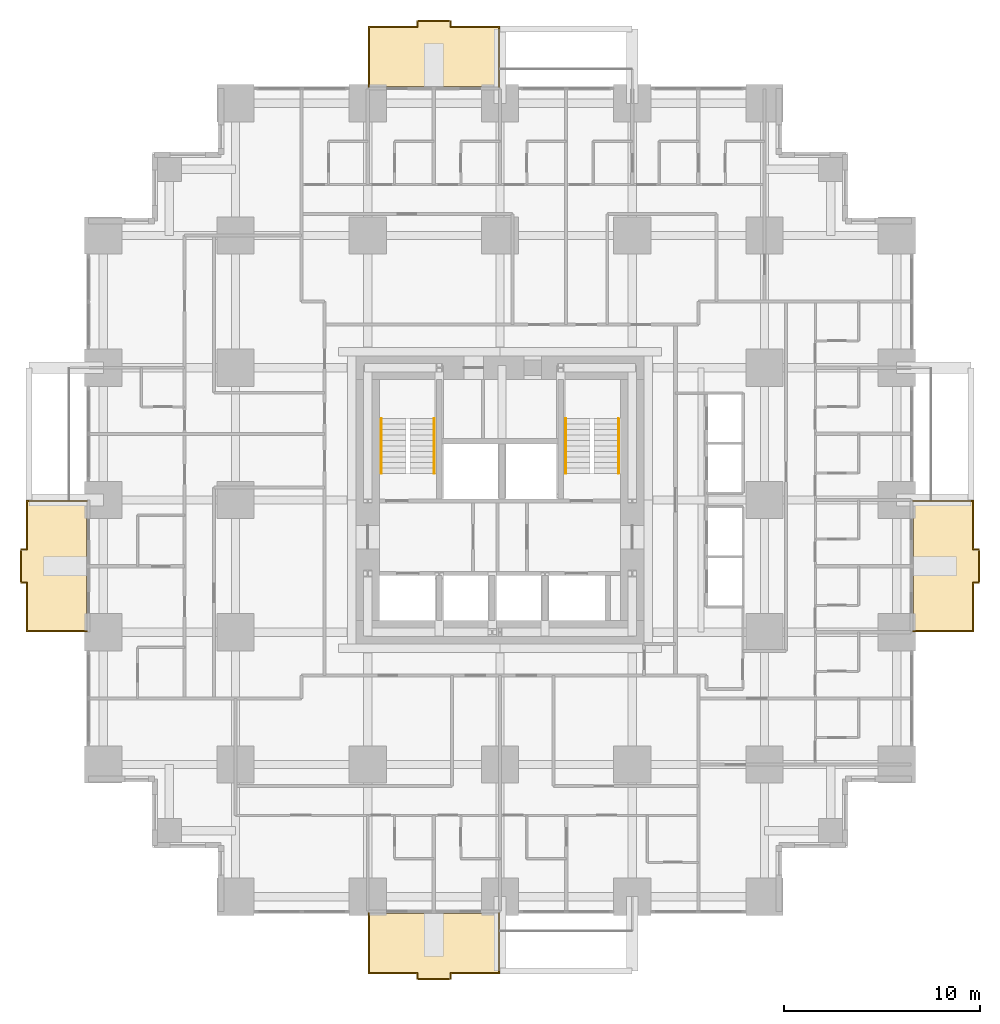
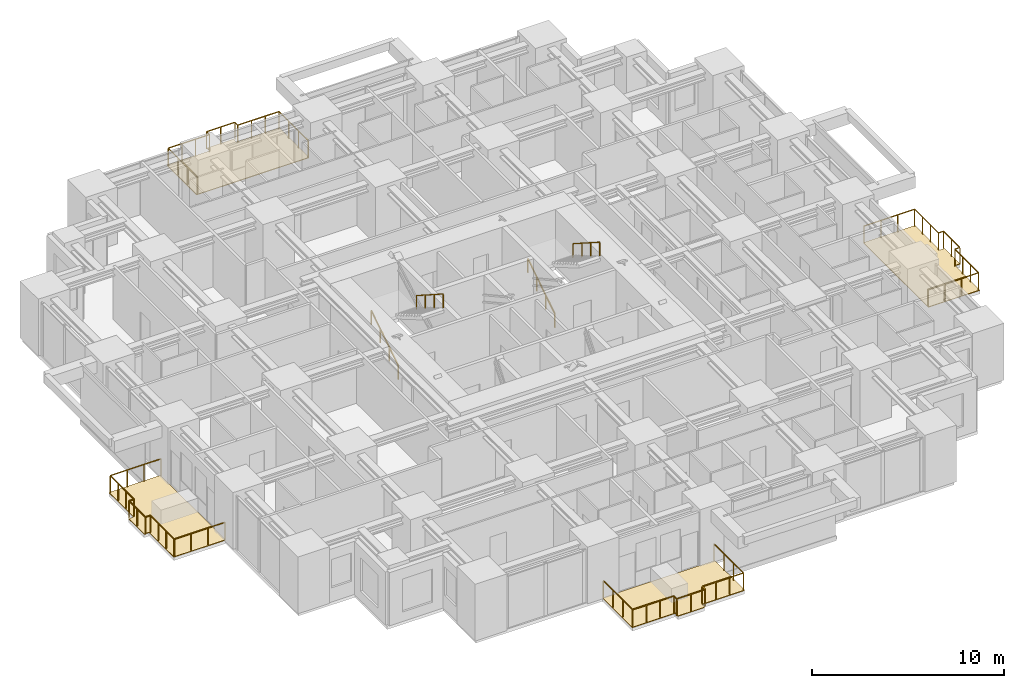
# One storey, part 15 of 15: 8 railings, 4 coverings.
"""IFC4 building model written with IfcOpenShell, lengths in metres."""

from ifc_helpers import new_model, si_unit, direction, frame, origin, origin_2d, place, context, subcontext, project, spatial, polyline, rectangle, outline, extrude, material, layer, layer_set, type_object, element, save


model = new_model("IFC4")

# Units and contexts
model_context = context("Model", 3, precision=1e-05, world=origin(), true_north=direction((0.0, 1.0)))
body_context = subcontext(model_context, "Body", "Model", "MODEL_VIEW")
ifc_project = project(units=[si_unit("LENGTHUNIT", "METRE"), si_unit("AREAUNIT", "SQUARE_METRE"), si_unit("VOLUMEUNIT", "CUBIC_METRE"), si_unit("PLANEANGLEUNIT", "RADIAN"), si_unit("MASSUNIT", "GRAM", prefix="KILO")], contexts=[model_context])

# Site, building, storey
site_placement = place(None, origin())
site = spatial("IfcSite", under=ifc_project, at=site_placement, CompositionType="ELEMENT")
building_placement = place(site_placement, origin())
building = spatial("IfcBuilding", under=site, at=building_placement, Name="Nyansa Garden Tower", CompositionType="ELEMENT")
storey_placement = place(building_placement, frame((0.0, 0.0, 32.39990234375)))
storey = spatial("IfcBuildingStorey", under=building, at=storey_placement, Name="L08", CompositionType="ELEMENT", Elevation=32.39990234375)

# Coverings
ifc_material_1 = material(Name="Hardwood decking on pedestals", Category="wood")
ifc_layer = layer(ifc_material_1, 0.0400390625)
ifc_layer_set = layer_set([ifc_layer], Name="Balcony decking DK40")
covering_type = type_object("IfcCoveringType", Name="Balcony decking DK40", PredefinedType="FLOORING", material=ifc_layer_set)
covering_1_placement = place(storey_placement, frame((0.0, 0.0, -0.039794921875)))
element("IfcCovering", 1, at=covering_1_placement, inside=storey, type_object=covering_type, Name="Balcony decking L08", PredefinedType="FLOORING", context=body_context, shape_type="SweptSolid", body=[
    extrude(outline(polyline([(13.5, -0.85009765625), (20.25, -0.85009765625), (20.25, -3.949951171875), (17.675048828125, -3.949951171875), (17.675048828125, -4.25), (16.074951171875, -4.25), (16.074951171875, -3.949951171875), (13.5, -3.949951171875), (13.5, -0.85009765625)])), origin(), (0.0, 0.0, 1.0), 0.039794921875),
])
covering_2_placement = place(storey_placement, frame((0.0, 0.0, -0.039794921875)))
element("IfcCovering", 2, at=covering_2_placement, inside=storey, type_object=covering_type, Name="Balcony decking L08", PredefinedType="FLOORING", context=body_context, shape_type="SweptSolid", body=[
    extrude(outline(polyline([(41.35009765625, 13.5), (41.35009765625, 20.25), (44.449951171875, 20.25), (44.449951171875, 17.675048828125), (44.75, 17.675048828125), (44.75, 16.074951171875), (44.449951171875, 16.074951171875), (44.449951171875, 13.5), (41.35009765625, 13.5)])), origin(), (0.0, 0.0, 1.0), 0.039794921875),
])
covering_3_placement = place(storey_placement, frame((0.0, 0.0, -0.039794921875)))
element("IfcCovering", 3, at=covering_3_placement, inside=storey, type_object=covering_type, Name="Balcony decking L08", PredefinedType="FLOORING", context=body_context, shape_type="SweptSolid", body=[
    extrude(outline(polyline([(13.5, 41.35009765625), (20.25, 41.35009765625), (20.25, 44.449951171875), (17.675048828125, 44.449951171875), (17.675048828125, 44.75), (16.074951171875, 44.75), (16.074951171875, 44.449951171875), (13.5, 44.449951171875), (13.5, 41.35009765625)])), origin(), (0.0, 0.0, 1.0), 0.039794921875),
])
covering_4_placement = place(storey_placement, frame((0.0, 0.0, -0.039794921875)))
element("IfcCovering", 4, at=covering_4_placement, inside=storey, type_object=covering_type, Name="Balcony decking L08", PredefinedType="FLOORING", context=body_context, shape_type="SweptSolid", body=[
    extrude(outline(polyline([(-0.85009765625, 13.5), (-0.85009765625, 20.25), (-3.949951171875, 20.25), (-3.949951171875, 17.675048828125), (-4.25, 17.675048828125), (-4.25, 16.074951171875), (-3.949951171875, 16.074951171875), (-3.949951171875, 13.5), (-0.85009765625, 13.5)])), origin(), (0.0, 0.0, 1.0), 0.039794921875),
])

# Railings
ifc_material_2 = material(Name="Black powder-coated steel balusters, laminated glass infill", Category="steel")
railing_type_1 = type_object("IfcRailingType", Name="Balcony guard G1", PredefinedType="GUARDRAIL", material=ifc_material_2)
railing_1_placement = place(storey_placement, frame((13.550048828125, -0.85009765625, 0.0)))
element("IfcRailing", 5, at=railing_1_placement, inside=storey, type_object=railing_type_1, Name="Balcony guard L08", PredefinedType="GUARDRAIL", context=body_context, shape_type="SweptSolid", body=[
    extrude(rectangle(XDim=0.048095703125, YDim=0.048095703125, at=origin_2d()), frame((0.0, 0.0, 1.076171875), z_axis=(0.0, -1.0, 0.0), x_axis=(1.0, 0.0, 0.0)), (0.0, 0.0, 1.0), 3.0498046875),
    extrude(rectangle(XDim=0.048095703125, YDim=0.048095703125, at=origin_2d()), frame((0.0, -3.0498046875, 1.076171875), z_axis=(1.0, 0.0, 0.0), x_axis=(0.0, 1.0, 0.0)), (0.0, 0.0, 1.0), 2.474853515625),
    extrude(rectangle(XDim=0.048095703125, YDim=0.048095703125, at=origin_2d()), frame((2.474853515625, -3.0498046875, 1.076171875), z_axis=(0.0, -1.0, 0.0), x_axis=(1.0, 0.0, 0.0)), (0.0, 0.0, 1.0), 0.300048828125),
    extrude(rectangle(XDim=0.048095703125, YDim=0.048095703125, at=origin_2d()), frame((2.474853515625, -3.349853515625, 1.076171875), z_axis=(1.0, 0.0, 0.0), x_axis=(0.0, 1.0, 0.0)), (0.0, 0.0, 1.0), 1.7001953125),
    extrude(rectangle(XDim=0.048095703125, YDim=0.048095703125, at=origin_2d()), frame((4.175048828125, -3.349853515625, 1.076171875), z_axis=(0.0, 1.0, 0.0), x_axis=(-1.0, 0.0, 0.0)), (0.0, 0.0, 1.0), 0.300048828125),
    extrude(rectangle(XDim=0.048095703125, YDim=0.048095703125, at=origin_2d()), frame((4.175048828125, -3.0498046875, 1.076171875), z_axis=(1.0, 0.0, 0.0), x_axis=(0.0, 1.0, 0.0)), (0.0, 0.0, 1.0), 2.474853515625),
    extrude(rectangle(XDim=0.048095703125, YDim=0.048095703125, at=origin_2d()), frame((6.64990234375, -3.0498046875, 1.076171875), z_axis=(0.0, 1.0, 0.0), x_axis=(-1.0, 0.0, 0.0)), (0.0, 0.0, 1.0), 3.0498046875),
    extrude(rectangle(XDim=0.0419921875, YDim=0.0419921875, at=origin_2d()), origin(), (0.0, 0.0, 1.0), 1.052001953125),
    extrude(rectangle(XDim=0.0419921875, YDim=0.0419921875, at=origin_2d()), frame((0.0, -1.0166015625, 0.0)), (0.0, 0.0, 1.0), 1.052001953125),
    extrude(rectangle(XDim=0.0419921875, YDim=0.0419921875, at=origin_2d()), frame((0.0, -2.033203125, 0.0)), (0.0, 0.0, 1.0), 1.052001953125),
    extrude(rectangle(XDim=0.0419921875, YDim=0.0419921875, at=origin_2d()), frame((0.0, -3.0498046875, 0.0)), (0.0, 0.0, 1.0), 1.052001953125),
    extrude(rectangle(XDim=0.0419921875, YDim=0.0419921875, at=origin_2d()), frame((0.824951171875, -3.0498046875, 0.0)), (0.0, 0.0, 1.0), 1.052001953125),
    extrude(rectangle(XDim=0.0419921875, YDim=0.0419921875, at=origin_2d()), frame((1.64990234375, -3.0498046875, 0.0)), (0.0, 0.0, 1.0), 1.052001953125),
    extrude(rectangle(XDim=0.0419921875, YDim=0.0419921875, at=origin_2d()), frame((2.474853515625, -3.0498046875, 0.0)), (0.0, 0.0, 1.0), 1.052001953125),
    extrude(rectangle(XDim=0.0419921875, YDim=0.0419921875, at=origin_2d()), frame((2.474853515625, -3.349853515625, 0.0)), (0.0, 0.0, 1.0), 1.052001953125),
    extrude(rectangle(XDim=0.0419921875, YDim=0.0419921875, at=origin_2d()), frame((3.324951171875, -3.349853515625, 0.0)), (0.0, 0.0, 1.0), 1.052001953125),
    extrude(rectangle(XDim=0.0419921875, YDim=0.0419921875, at=origin_2d()), frame((4.175048828125, -3.349853515625, 0.0)), (0.0, 0.0, 1.0), 1.052001953125),
    extrude(rectangle(XDim=0.0419921875, YDim=0.0419921875, at=origin_2d()), frame((4.175048828125, -3.0498046875, 0.0)), (0.0, 0.0, 1.0), 1.052001953125),
    extrude(rectangle(XDim=0.0419921875, YDim=0.0419921875, at=origin_2d()), frame((5.0, -3.0498046875, 0.0)), (0.0, 0.0, 1.0), 1.052001953125),
    extrude(rectangle(XDim=0.0419921875, YDim=0.0419921875, at=origin_2d()), frame((5.824951171875, -3.0498046875, 0.0)), (0.0, 0.0, 1.0), 1.052001953125),
    extrude(rectangle(XDim=0.0419921875, YDim=0.0419921875, at=origin_2d()), frame((6.64990234375, -3.0498046875, 0.0)), (0.0, 0.0, 1.0), 1.052001953125),
    extrude(rectangle(XDim=0.0419921875, YDim=0.0419921875, at=origin_2d()), frame((6.64990234375, -2.033203125, 0.0)), (0.0, 0.0, 1.0), 1.052001953125),
    extrude(rectangle(XDim=0.0419921875, YDim=0.0419921875, at=origin_2d()), frame((6.64990234375, -1.0166015625, 0.0)), (0.0, 0.0, 1.0), 1.052001953125),
    extrude(rectangle(XDim=0.0419921875, YDim=0.0419921875, at=origin_2d()), frame((6.64990234375, 0.0, 0.0)), (0.0, 0.0, 1.0), 1.052001953125),
])
railing_2_placement = place(storey_placement, frame((41.35009765625, 13.550048828125, 0.0)))
element("IfcRailing", 6, at=railing_2_placement, inside=storey, type_object=railing_type_1, Name="Balcony guard L08", PredefinedType="GUARDRAIL", context=body_context, shape_type="SweptSolid", body=[
    extrude(rectangle(XDim=0.048095703125, YDim=0.048095703125, at=origin_2d()), frame((0.0, 0.0, 1.076171875), z_axis=(1.0, 0.0, 0.0), x_axis=(0.0, 1.0, 0.0)), (0.0, 0.0, 1.0), 3.0498046875),
    extrude(rectangle(XDim=0.048095703125, YDim=0.048095703125, at=origin_2d()), frame((3.0498046875, 0.0, 1.076171875), z_axis=(0.0, 1.0, 0.0), x_axis=(-1.0, 0.0, 0.0)), (0.0, 0.0, 1.0), 2.474853515625),
    extrude(rectangle(XDim=0.048095703125, YDim=0.048095703125, at=origin_2d()), frame((3.0498046875, 2.474853515625, 1.076171875), z_axis=(1.0, 0.0, 0.0), x_axis=(0.0, 1.0, 0.0)), (0.0, 0.0, 1.0), 0.300048828125),
    extrude(rectangle(XDim=0.048095703125, YDim=0.048095703125, at=origin_2d()), frame((3.349853515625, 2.474853515625, 1.076171875), z_axis=(0.0, 1.0, 0.0), x_axis=(-1.0, 0.0, 0.0)), (0.0, 0.0, 1.0), 1.7001953125),
    extrude(rectangle(XDim=0.048095703125, YDim=0.048095703125, at=origin_2d()), frame((3.349853515625, 4.175048828125, 1.076171875), z_axis=(-1.0, 0.0, 0.0), x_axis=(0.0, -1.0, 0.0)), (0.0, 0.0, 1.0), 0.300048828125),
    extrude(rectangle(XDim=0.048095703125, YDim=0.048095703125, at=origin_2d()), frame((3.0498046875, 4.175048828125, 1.076171875), z_axis=(0.0, 1.0, 0.0), x_axis=(-1.0, 0.0, 0.0)), (0.0, 0.0, 1.0), 2.474853515625),
    extrude(rectangle(XDim=0.048095703125, YDim=0.048095703125, at=origin_2d()), frame((3.0498046875, 6.64990234375, 1.076171875), z_axis=(-1.0, 0.0, 0.0), x_axis=(0.0, -1.0, 0.0)), (0.0, 0.0, 1.0), 3.0498046875),
    extrude(rectangle(XDim=0.0419921875, YDim=0.0419921875, at=origin_2d()), origin(), (0.0, 0.0, 1.0), 1.052001953125),
    extrude(rectangle(XDim=0.0419921875, YDim=0.0419921875, at=origin_2d()), frame((1.0166015625, 0.0, 0.0)), (0.0, 0.0, 1.0), 1.052001953125),
    extrude(rectangle(XDim=0.0419921875, YDim=0.0419921875, at=origin_2d()), frame((2.033203125, 0.0, 0.0)), (0.0, 0.0, 1.0), 1.052001953125),
    extrude(rectangle(XDim=0.0419921875, YDim=0.0419921875, at=origin_2d()), frame((3.0498046875, 0.0, 0.0)), (0.0, 0.0, 1.0), 1.052001953125),
    extrude(rectangle(XDim=0.0419921875, YDim=0.0419921875, at=origin_2d()), frame((3.0498046875, 0.824951171875, 0.0)), (0.0, 0.0, 1.0), 1.052001953125),
    extrude(rectangle(XDim=0.0419921875, YDim=0.0419921875, at=origin_2d()), frame((3.0498046875, 1.64990234375, 0.0)), (0.0, 0.0, 1.0), 1.052001953125),
    extrude(rectangle(XDim=0.0419921875, YDim=0.0419921875, at=origin_2d()), frame((3.0498046875, 2.474853515625, 0.0)), (0.0, 0.0, 1.0), 1.052001953125),
    extrude(rectangle(XDim=0.0419921875, YDim=0.0419921875, at=origin_2d()), frame((3.349853515625, 2.474853515625, 0.0)), (0.0, 0.0, 1.0), 1.052001953125),
    extrude(rectangle(XDim=0.0419921875, YDim=0.0419921875, at=origin_2d()), frame((3.349853515625, 3.324951171875, 0.0)), (0.0, 0.0, 1.0), 1.052001953125),
    extrude(rectangle(XDim=0.0419921875, YDim=0.0419921875, at=origin_2d()), frame((3.349853515625, 4.175048828125, 0.0)), (0.0, 0.0, 1.0), 1.052001953125),
    extrude(rectangle(XDim=0.0419921875, YDim=0.0419921875, at=origin_2d()), frame((3.0498046875, 4.175048828125, 0.0)), (0.0, 0.0, 1.0), 1.052001953125),
    extrude(rectangle(XDim=0.0419921875, YDim=0.0419921875, at=origin_2d()), frame((3.0498046875, 5.0, 0.0)), (0.0, 0.0, 1.0), 1.052001953125),
    extrude(rectangle(XDim=0.0419921875, YDim=0.0419921875, at=origin_2d()), frame((3.0498046875, 5.824951171875, 0.0)), (0.0, 0.0, 1.0), 1.052001953125),
    extrude(rectangle(XDim=0.0419921875, YDim=0.0419921875, at=origin_2d()), frame((3.0498046875, 6.64990234375, 0.0)), (0.0, 0.0, 1.0), 1.052001953125),
    extrude(rectangle(XDim=0.0419921875, YDim=0.0419921875, at=origin_2d()), frame((2.033203125, 6.64990234375, 0.0)), (0.0, 0.0, 1.0), 1.052001953125),
    extrude(rectangle(XDim=0.0419921875, YDim=0.0419921875, at=origin_2d()), frame((1.0166015625, 6.64990234375, 0.0)), (0.0, 0.0, 1.0), 1.052001953125),
    extrude(rectangle(XDim=0.0419921875, YDim=0.0419921875, at=origin_2d()), frame((0.0, 6.64990234375, 0.0)), (0.0, 0.0, 1.0), 1.052001953125),
])
railing_3_placement = place(storey_placement, frame((13.550048828125, 41.35009765625, 0.0)))
element("IfcRailing", 7, at=railing_3_placement, inside=storey, type_object=railing_type_1, Name="Balcony guard L08", PredefinedType="GUARDRAIL", context=body_context, shape_type="SweptSolid", body=[
    extrude(rectangle(XDim=0.048095703125, YDim=0.048095703125, at=origin_2d()), frame((0.0, 0.0, 1.076171875), z_axis=(0.0, 1.0, 0.0), x_axis=(-1.0, 0.0, 0.0)), (0.0, 0.0, 1.0), 3.0498046875),
    extrude(rectangle(XDim=0.048095703125, YDim=0.048095703125, at=origin_2d()), frame((0.0, 3.0498046875, 1.076171875), z_axis=(1.0, 0.0, 0.0), x_axis=(0.0, 1.0, 0.0)), (0.0, 0.0, 1.0), 2.474853515625),
    extrude(rectangle(XDim=0.048095703125, YDim=0.048095703125, at=origin_2d()), frame((2.474853515625, 3.0498046875, 1.076171875), z_axis=(0.0, 1.0, 0.0), x_axis=(-1.0, 0.0, 0.0)), (0.0, 0.0, 1.0), 0.300048828125),
    extrude(rectangle(XDim=0.048095703125, YDim=0.048095703125, at=origin_2d()), frame((2.474853515625, 3.349853515625, 1.076171875), z_axis=(1.0, 0.0, 0.0), x_axis=(0.0, 1.0, 0.0)), (0.0, 0.0, 1.0), 1.7001953125),
    extrude(rectangle(XDim=0.048095703125, YDim=0.048095703125, at=origin_2d()), frame((4.175048828125, 3.349853515625, 1.076171875), z_axis=(0.0, -1.0, 0.0), x_axis=(1.0, 0.0, 0.0)), (0.0, 0.0, 1.0), 0.300048828125),
    extrude(rectangle(XDim=0.048095703125, YDim=0.048095703125, at=origin_2d()), frame((4.175048828125, 3.0498046875, 1.076171875), z_axis=(1.0, 0.0, 0.0), x_axis=(0.0, 1.0, 0.0)), (0.0, 0.0, 1.0), 2.474853515625),
    extrude(rectangle(XDim=0.048095703125, YDim=0.048095703125, at=origin_2d()), frame((6.64990234375, 3.0498046875, 1.076171875), z_axis=(0.0, -1.0, 0.0), x_axis=(1.0, 0.0, 0.0)), (0.0, 0.0, 1.0), 3.0498046875),
    extrude(rectangle(XDim=0.0419921875, YDim=0.0419921875, at=origin_2d()), origin(), (0.0, 0.0, 1.0), 1.052001953125),
    extrude(rectangle(XDim=0.0419921875, YDim=0.0419921875, at=origin_2d()), frame((0.0, 1.0166015625, 0.0)), (0.0, 0.0, 1.0), 1.052001953125),
    extrude(rectangle(XDim=0.0419921875, YDim=0.0419921875, at=origin_2d()), frame((0.0, 2.033203125, 0.0)), (0.0, 0.0, 1.0), 1.052001953125),
    extrude(rectangle(XDim=0.0419921875, YDim=0.0419921875, at=origin_2d()), frame((0.0, 3.0498046875, 0.0)), (0.0, 0.0, 1.0), 1.052001953125),
    extrude(rectangle(XDim=0.0419921875, YDim=0.0419921875, at=origin_2d()), frame((0.824951171875, 3.0498046875, 0.0)), (0.0, 0.0, 1.0), 1.052001953125),
    extrude(rectangle(XDim=0.0419921875, YDim=0.0419921875, at=origin_2d()), frame((1.64990234375, 3.0498046875, 0.0)), (0.0, 0.0, 1.0), 1.052001953125),
    extrude(rectangle(XDim=0.0419921875, YDim=0.0419921875, at=origin_2d()), frame((2.474853515625, 3.0498046875, 0.0)), (0.0, 0.0, 1.0), 1.052001953125),
    extrude(rectangle(XDim=0.0419921875, YDim=0.0419921875, at=origin_2d()), frame((2.474853515625, 3.349853515625, 0.0)), (0.0, 0.0, 1.0), 1.052001953125),
    extrude(rectangle(XDim=0.0419921875, YDim=0.0419921875, at=origin_2d()), frame((3.324951171875, 3.349853515625, 0.0)), (0.0, 0.0, 1.0), 1.052001953125),
    extrude(rectangle(XDim=0.0419921875, YDim=0.0419921875, at=origin_2d()), frame((4.175048828125, 3.349853515625, 0.0)), (0.0, 0.0, 1.0), 1.052001953125),
    extrude(rectangle(XDim=0.0419921875, YDim=0.0419921875, at=origin_2d()), frame((4.175048828125, 3.0498046875, 0.0)), (0.0, 0.0, 1.0), 1.052001953125),
    extrude(rectangle(XDim=0.0419921875, YDim=0.0419921875, at=origin_2d()), frame((5.0, 3.0498046875, 0.0)), (0.0, 0.0, 1.0), 1.052001953125),
    extrude(rectangle(XDim=0.0419921875, YDim=0.0419921875, at=origin_2d()), frame((5.824951171875, 3.0498046875, 0.0)), (0.0, 0.0, 1.0), 1.052001953125),
    extrude(rectangle(XDim=0.0419921875, YDim=0.0419921875, at=origin_2d()), frame((6.64990234375, 3.0498046875, 0.0)), (0.0, 0.0, 1.0), 1.052001953125),
    extrude(rectangle(XDim=0.0419921875, YDim=0.0419921875, at=origin_2d()), frame((6.64990234375, 2.033203125, 0.0)), (0.0, 0.0, 1.0), 1.052001953125),
    extrude(rectangle(XDim=0.0419921875, YDim=0.0419921875, at=origin_2d()), frame((6.64990234375, 1.0166015625, 0.0)), (0.0, 0.0, 1.0), 1.052001953125),
    extrude(rectangle(XDim=0.0419921875, YDim=0.0419921875, at=origin_2d()), frame((6.64990234375, 0.0, 0.0)), (0.0, 0.0, 1.0), 1.052001953125),
])
railing_4_placement = place(storey_placement, frame((-0.85009765625, 13.550048828125, 0.0)))
element("IfcRailing", 8, at=railing_4_placement, inside=storey, type_object=railing_type_1, Name="Balcony guard L08", PredefinedType="GUARDRAIL", context=body_context, shape_type="SweptSolid", body=[
    extrude(rectangle(XDim=0.048095703125, YDim=0.048095703125, at=origin_2d()), frame((0.0, 0.0, 1.076171875), z_axis=(-1.0, 0.0, 0.0), x_axis=(0.0, -1.0, 0.0)), (0.0, 0.0, 1.0), 3.0498046875),
    extrude(rectangle(XDim=0.048095703125, YDim=0.048095703125, at=origin_2d()), frame((-3.0498046875, 0.0, 1.076171875), z_axis=(0.0, 1.0, 0.0), x_axis=(-1.0, 0.0, 0.0)), (0.0, 0.0, 1.0), 2.474853515625),
    extrude(rectangle(XDim=0.048095703125, YDim=0.048095703125, at=origin_2d()), frame((-3.0498046875, 2.474853515625, 1.076171875), z_axis=(-1.0, 0.0, 0.0), x_axis=(0.0, -1.0, 0.0)), (0.0, 0.0, 1.0), 0.300048828125),
    extrude(rectangle(XDim=0.048095703125, YDim=0.048095703125, at=origin_2d()), frame((-3.349853515625, 2.474853515625, 1.076171875), z_axis=(0.0, 1.0, 0.0), x_axis=(-1.0, 0.0, 0.0)), (0.0, 0.0, 1.0), 1.7001953125),
    extrude(rectangle(XDim=0.048095703125, YDim=0.048095703125, at=origin_2d()), frame((-3.349853515625, 4.175048828125, 1.076171875), z_axis=(1.0, 0.0, 0.0), x_axis=(0.0, 1.0, 0.0)), (0.0, 0.0, 1.0), 0.300048828125),
    extrude(rectangle(XDim=0.048095703125, YDim=0.048095703125, at=origin_2d()), frame((-3.0498046875, 4.175048828125, 1.076171875), z_axis=(0.0, 1.0, 0.0), x_axis=(-1.0, 0.0, 0.0)), (0.0, 0.0, 1.0), 2.474853515625),
    extrude(rectangle(XDim=0.048095703125, YDim=0.048095703125, at=origin_2d()), frame((-3.0498046875, 6.64990234375, 1.076171875), z_axis=(1.0, 0.0, 0.0), x_axis=(0.0, 1.0, 0.0)), (0.0, 0.0, 1.0), 3.0498046875),
    extrude(rectangle(XDim=0.0419921875, YDim=0.0419921875, at=origin_2d()), origin(), (0.0, 0.0, 1.0), 1.052001953125),
    extrude(rectangle(XDim=0.0419921875, YDim=0.0419921875, at=origin_2d()), frame((-1.0166015625, 0.0, 0.0)), (0.0, 0.0, 1.0), 1.052001953125),
    extrude(rectangle(XDim=0.0419921875, YDim=0.0419921875, at=origin_2d()), frame((-2.033203125, 0.0, 0.0)), (0.0, 0.0, 1.0), 1.052001953125),
    extrude(rectangle(XDim=0.0419921875, YDim=0.0419921875, at=origin_2d()), frame((-3.0498046875, 0.0, 0.0)), (0.0, 0.0, 1.0), 1.052001953125),
    extrude(rectangle(XDim=0.0419921875, YDim=0.0419921875, at=origin_2d()), frame((-3.0498046875, 0.824951171875, 0.0)), (0.0, 0.0, 1.0), 1.052001953125),
    extrude(rectangle(XDim=0.0419921875, YDim=0.0419921875, at=origin_2d()), frame((-3.0498046875, 1.64990234375, 0.0)), (0.0, 0.0, 1.0), 1.052001953125),
    extrude(rectangle(XDim=0.0419921875, YDim=0.0419921875, at=origin_2d()), frame((-3.0498046875, 2.474853515625, 0.0)), (0.0, 0.0, 1.0), 1.052001953125),
    extrude(rectangle(XDim=0.0419921875, YDim=0.0419921875, at=origin_2d()), frame((-3.349853515625, 2.474853515625, 0.0)), (0.0, 0.0, 1.0), 1.052001953125),
    extrude(rectangle(XDim=0.0419921875, YDim=0.0419921875, at=origin_2d()), frame((-3.349853515625, 3.324951171875, 0.0)), (0.0, 0.0, 1.0), 1.052001953125),
    extrude(rectangle(XDim=0.0419921875, YDim=0.0419921875, at=origin_2d()), frame((-3.349853515625, 4.175048828125, 0.0)), (0.0, 0.0, 1.0), 1.052001953125),
    extrude(rectangle(XDim=0.0419921875, YDim=0.0419921875, at=origin_2d()), frame((-3.0498046875, 4.175048828125, 0.0)), (0.0, 0.0, 1.0), 1.052001953125),
    extrude(rectangle(XDim=0.0419921875, YDim=0.0419921875, at=origin_2d()), frame((-3.0498046875, 5.0, 0.0)), (0.0, 0.0, 1.0), 1.052001953125),
    extrude(rectangle(XDim=0.0419921875, YDim=0.0419921875, at=origin_2d()), frame((-3.0498046875, 5.824951171875, 0.0)), (0.0, 0.0, 1.0), 1.052001953125),
    extrude(rectangle(XDim=0.0419921875, YDim=0.0419921875, at=origin_2d()), frame((-3.0498046875, 6.64990234375, 0.0)), (0.0, 0.0, 1.0), 1.052001953125),
    extrude(rectangle(XDim=0.0419921875, YDim=0.0419921875, at=origin_2d()), frame((-2.033203125, 6.64990234375, 0.0)), (0.0, 0.0, 1.0), 1.052001953125),
    extrude(rectangle(XDim=0.0419921875, YDim=0.0419921875, at=origin_2d()), frame((-1.0166015625, 6.64990234375, 0.0)), (0.0, 0.0, 1.0), 1.052001953125),
    extrude(rectangle(XDim=0.0419921875, YDim=0.0419921875, at=origin_2d()), frame((0.0, 6.64990234375, 0.0)), (0.0, 0.0, 1.0), 1.052001953125),
])
ifc_material_3 = material(Name="Black powder-coated steel tube 48 mm", Category="steel")
railing_type_2 = type_object("IfcRailingType", Name="Stair handrail HR1", PredefinedType="HANDRAIL", material=ifc_material_3)
railing_5_placement = place(storey_placement, frame((14.199951171875, 21.60009765625, 0.0)))
element("IfcRailing", 9, at=railing_5_placement, inside=storey, type_object=railing_type_2, Name="Stair S1 handrail L08", PredefinedType="HANDRAIL", context=body_context, shape_type="SweptSolid", body=[
    extrude(rectangle(XDim=0.048095703125, YDim=0.048095703125, at=origin_2d()), frame((0.0, 0.0, 0.8759765625), z_axis=(0.0, 0.841154643086, 0.54079466197), x_axis=(-1.0, 0.0, 0.0)), (0.0, 0.0, 1.0), 3.32861328125),
    extrude(rectangle(XDim=0.0419921875, YDim=0.0419921875, at=origin_2d()), origin(), (0.0, 0.0, 1.0), 0.851806640625),
    extrude(rectangle(XDim=0.0419921875, YDim=0.0419921875, at=origin_2d()), frame((0.0, 0.933349609375, 0.60009765625)), (0.0, 0.0, 1.0), 0.851806640625),
    extrude(rectangle(XDim=0.0419921875, YDim=0.0419921875, at=origin_2d()), frame((0.0, 1.866455078125, 1.199951171875)), (0.0, 0.0, 1.0), 0.851806640625),
    extrude(rectangle(XDim=0.0419921875, YDim=0.0419921875, at=origin_2d()), frame((0.0, 2.7998046875, 1.800048828125)), (0.0, 0.0, 1.0), 0.851806640625),
])
railing_6_placement = place(storey_placement, frame((16.89990234375, 24.39990234375, 1.800048828125)))
element("IfcRailing", 10, at=railing_6_placement, inside=storey, type_object=railing_type_2, Name="Stair S1 handrail L08", PredefinedType="HANDRAIL", context=body_context, shape_type="SweptSolid", body=[
    extrude(rectangle(XDim=0.048095703125, YDim=0.048095703125, at=origin_2d()), frame((0.0, 0.0, 0.8759765625), z_axis=(0.0, -0.841154643086, 0.54079466197), x_axis=(1.0, 0.0, 0.0)), (0.0, 0.0, 1.0), 3.32861328125),
    extrude(rectangle(XDim=0.0419921875, YDim=0.0419921875, at=origin_2d()), origin(), (0.0, 0.0, 1.0), 0.851806640625),
    extrude(rectangle(XDim=0.0419921875, YDim=0.0419921875, at=origin_2d()), frame((0.0, -0.933349609375, 0.60009765625)), (0.0, 0.0, 1.0), 0.851806640625),
    extrude(rectangle(XDim=0.0419921875, YDim=0.0419921875, at=origin_2d()), frame((0.0, -1.866455078125, 1.199951171875)), (0.0, 0.0, 1.0), 0.851806640625),
    extrude(rectangle(XDim=0.0419921875, YDim=0.0419921875, at=origin_2d()), frame((0.0, -2.7998046875, 1.800048828125)), (0.0, 0.0, 1.0), 0.851806640625),
])
railing_7_placement = place(storey_placement, frame((23.60009765625, 21.60009765625, 0.0)))
element("IfcRailing", 11, at=railing_7_placement, inside=storey, type_object=railing_type_2, Name="Stair S2 handrail L08", PredefinedType="HANDRAIL", context=body_context, shape_type="SweptSolid", body=[
    extrude(rectangle(XDim=0.048095703125, YDim=0.048095703125, at=origin_2d()), frame((0.0, 0.0, 0.8759765625), z_axis=(0.0, 0.841154643086, 0.54079466197), x_axis=(-1.0, 0.0, 0.0)), (0.0, 0.0, 1.0), 3.32861328125),
    extrude(rectangle(XDim=0.0419921875, YDim=0.0419921875, at=origin_2d()), origin(), (0.0, 0.0, 1.0), 0.851806640625),
    extrude(rectangle(XDim=0.0419921875, YDim=0.0419921875, at=origin_2d()), frame((0.0, 0.933349609375, 0.60009765625)), (0.0, 0.0, 1.0), 0.851806640625),
    extrude(rectangle(XDim=0.0419921875, YDim=0.0419921875, at=origin_2d()), frame((0.0, 1.866455078125, 1.199951171875)), (0.0, 0.0, 1.0), 0.851806640625),
    extrude(rectangle(XDim=0.0419921875, YDim=0.0419921875, at=origin_2d()), frame((0.0, 2.7998046875, 1.800048828125)), (0.0, 0.0, 1.0), 0.851806640625),
])
railing_8_placement = place(storey_placement, frame((26.300048828125, 24.39990234375, 1.800048828125)))
element("IfcRailing", 12, at=railing_8_placement, inside=storey, type_object=railing_type_2, Name="Stair S2 handrail L08", PredefinedType="HANDRAIL", context=body_context, shape_type="SweptSolid", body=[
    extrude(rectangle(XDim=0.048095703125, YDim=0.048095703125, at=origin_2d()), frame((0.0, 0.0, 0.8759765625), z_axis=(0.0, -0.841154643086, 0.54079466197), x_axis=(1.0, 0.0, 0.0)), (0.0, 0.0, 1.0), 3.32861328125),
    extrude(rectangle(XDim=0.0419921875, YDim=0.0419921875, at=origin_2d()), origin(), (0.0, 0.0, 1.0), 0.851806640625),
    extrude(rectangle(XDim=0.0419921875, YDim=0.0419921875, at=origin_2d()), frame((0.0, -0.933349609375, 0.60009765625)), (0.0, 0.0, 1.0), 0.851806640625),
    extrude(rectangle(XDim=0.0419921875, YDim=0.0419921875, at=origin_2d()), frame((0.0, -1.866455078125, 1.199951171875)), (0.0, 0.0, 1.0), 0.851806640625),
    extrude(rectangle(XDim=0.0419921875, YDim=0.0419921875, at=origin_2d()), frame((0.0, -2.7998046875, 1.800048828125)), (0.0, 0.0, 1.0), 0.851806640625),
])

save(model, "model.ifc")
